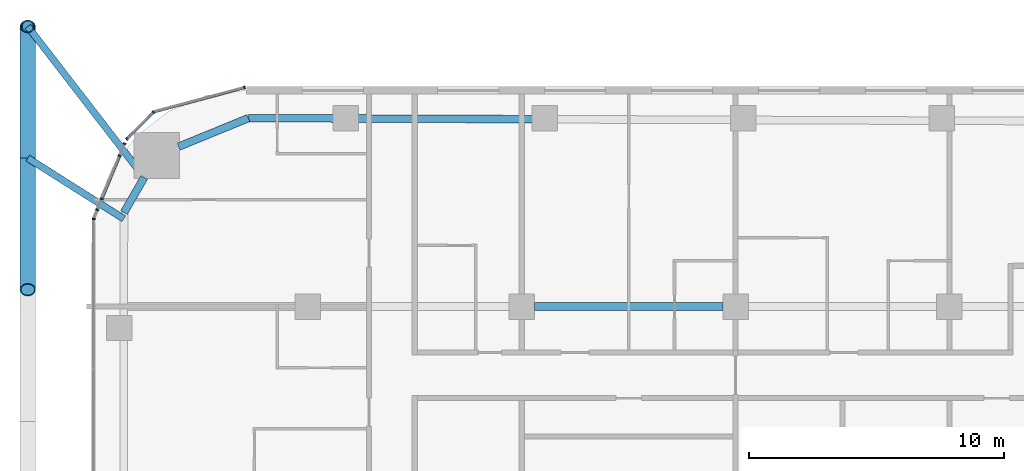
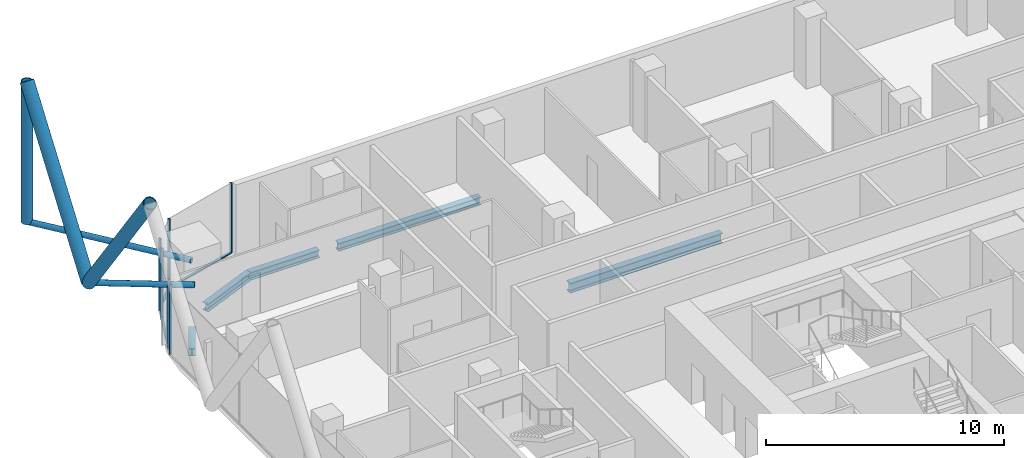
# One storey, part 10 of 38: 16 members, 5 beams, 7 elements without a shape of their own.
"""IFC4 building model written with IfcOpenShell, lengths in metres."""

from ifc_helpers import new_model, si_unit, direction, frame, origin, origin_2d, place, context, subcontext, project, spatial, rectangle, hollow_circle, i_section, extrude, material, layer, layer_set, material_profile, profile_set, type_object, element, aggregate, save


model = new_model("IFC4")

# Units and contexts
model_context = context("Model", 3, precision=1e-05, world=origin(), true_north=direction((0.0, 1.0)))
body_context = subcontext(model_context, "Body", "Model", "MODEL_VIEW")
ifc_project = project(units=[si_unit("LENGTHUNIT", "METRE"), si_unit("AREAUNIT", "SQUARE_METRE"), si_unit("VOLUMEUNIT", "CUBIC_METRE"), si_unit("PLANEANGLEUNIT", "RADIAN"), si_unit("MASSUNIT", "GRAM", prefix="KILO")], contexts=[model_context])

# Site, building, storey
site_placement = place(None, origin())
site = spatial("IfcSite", under=ifc_project, at=site_placement, CompositionType="ELEMENT")
building_placement = place(site_placement, origin())
building = spatial("IfcBuilding", under=site, at=building_placement, Name="Marenta Gate Hotel Tower", CompositionType="ELEMENT")
storey_placement = place(building_placement, frame((0.0, 0.0, 68.89990234375)))
storey = spatial("IfcBuildingStorey", under=building, at=storey_placement, Name="L15", CompositionType="ELEMENT", Elevation=68.89990234375)

# Members
ifc_material_1 = material(Name="Steel S355J2W", Category="steel")
ifc_material_profile_1 = material_profile(ifc_material_1, hollow_circle(Radius=0.25390625, WallThickness=0.0400390625, at=origin_2d()), Name="CHS 508x40")
ifc_profile_set_1 = profile_set([ifc_material_profile_1], Name="Steel S355J2W")
member_type_1 = type_object("IfcMemberType", Name="Diagrid corner post Z1 CHS 508x40", PredefinedType="POST", material=ifc_profile_set_1)
member_1_placement = place(storey_placement, frame((-32.0, 36.199951171875, 3.14013671875), z_axis=(0.0, 0.0, 1.0), x_axis=(1.0, 0.0, 0.0)))
element("IfcMember", 1, at=member_1_placement, inside=storey, type_object=member_type_1, Name="L15-DR-6", PredefinedType="POST", context=body_context, shape_type="SweptSolid", body=[
    extrude(hollow_circle(Radius=0.25390625, WallThickness=0.0400390625, at=origin_2d()), origin(), (0.0, 0.0, 1.0), 7.199951171875),
])
ifc_material_2 = material(Name="Steel S355J2W", Category="steel")
ifc_material_profile_2 = material_profile(ifc_material_2, hollow_circle(Radius=0.304931640625, WallThickness=0.0400390625, at=origin_2d()), Name="CHS 610x40")
ifc_profile_set_2 = profile_set([ifc_material_profile_2], Name="Steel S355J2W")
member_type_2 = type_object("IfcMemberType", Name="Diagrid diagonal Z1 CHS 610x40", PredefinedType="BRACE", material=ifc_profile_set_2)
for number, where, z_axis, x_axis, name in (
    (2, (-32.0, 31.030029296875, 3.14013671875), (0.0, -0.583260841117, 0.812284919975), (1.0, 0.0, 0.0), "L15-DG-33"),
    (3, (-32.0, 31.030029296875, 3.14013671875), (0.0, 0.583260841117, 0.812284919975), (-1.0, 0.0, 0.0), "L15-DG-34"),
):
    element("IfcMember", number, at=place(storey_placement, frame(where, z_axis=z_axis, x_axis=x_axis)), inside=storey, type_object=member_type_2, Name=name, PredefinedType="BRACE", context=body_context, shape_type="SweptSolid", body=[
        extrude(hollow_circle(Radius=0.304931640625, WallThickness=0.0400390625, at=origin_2d()), origin(), (0.0, 0.0, 1.0), 8.86376953125),
    ])

# Beams
ifc_material_3 = material(Name="Steel S355", Category="steel")
ifc_material_profile_3 = material_profile(ifc_material_3, i_section(OverallWidth=0.300048828125, OverallDepth=0.39990234375, WebThickness=0.013427734375, FlangeThickness=0.02392578125, FilletRadius=0.027099609375, at=origin_2d()), Name="HEB 400")
ifc_profile_set_3 = profile_set([ifc_material_profile_3], Name="Steel S355")
beam_type_1 = type_object("IfcBeamType", Name="Edge beam HEB 400", PredefinedType="SPANDREL", material=ifc_profile_set_3)
beam_1_placement = place(storey_placement, frame((-28.221435546875, 28.891845703125, -0.4599609375), z_axis=(0.500098681536, 0.865968422476, 0.0), x_axis=(-0.865968422476, 0.500098681536, 0.0)))
element("IfcBeam", 4, at=beam_1_placement, inside=storey, type_object=beam_type_1, Name="L15-EB-11", PredefinedType="SPANDREL", context=body_context, shape_type="SweptSolid", body=[
    extrude(i_section(OverallWidth=0.300048828125, OverallDepth=0.39990234375, WebThickness=0.013427734375, FlangeThickness=0.02392578125, FilletRadius=0.027099609375, at=origin_2d()), origin(), (0.0, 0.0, 1.0), 1.591552734375),
])
beam_2_placement = place(storey_placement, frame((-26.072509765625, 31.47998046875, -0.4599609375), z_axis=(0.925545641603, 0.378636059177, 0.0), x_axis=(-0.378636059177, 0.925545641603, 0.0)))
element("IfcBeam", 5, at=beam_2_placement, inside=storey, type_object=beam_type_1, Name="L15-EB-12", PredefinedType="SPANDREL", context=body_context, shape_type="SweptSolid", body=[
    extrude(i_section(OverallWidth=0.300048828125, OverallDepth=0.39990234375, WebThickness=0.013427734375, FlangeThickness=0.02392578125, FilletRadius=0.027099609375, at=origin_2d()), origin(), (0.0, 0.0, 1.0), 2.958251953125),
])
beam_3_placement = place(storey_placement, frame((-23.33447265625, 32.60009765625, -0.4599609375), z_axis=(0.999992894549, -0.00376972818, 0.0), x_axis=(0.00376972818, 0.999992894549, 0.0)))
element("IfcBeam", 6, at=beam_3_placement, inside=storey, type_object=beam_type_1, Name="L15-EB-13", PredefinedType="SPANDREL", context=body_context, shape_type="SweptSolid", body=[
    extrude(i_section(OverallWidth=0.300048828125, OverallDepth=0.39990234375, WebThickness=0.013427734375, FlangeThickness=0.02392578125, FilletRadius=0.027099609375, at=origin_2d()), origin(), (0.0, 0.0, 1.0), 3.36767578125),
])
beam_4_placement = place(storey_placement, frame((-19.046875, 32.583984375, -0.4599609375), z_axis=(0.999993064268, -0.003724435008, 0.0), x_axis=(0.003724435008, 0.999993064268, 0.0)))
element("IfcBeam", 7, at=beam_4_placement, inside=storey, type_object=beam_type_1, Name="L15-EB-14", PredefinedType="SPANDREL", context=body_context, shape_type="SweptSolid", body=[
    extrude(i_section(OverallWidth=0.300048828125, OverallDepth=0.39990234375, WebThickness=0.013427734375, FlangeThickness=0.02392578125, FilletRadius=0.027099609375, at=origin_2d()), origin(), (0.0, 0.0, 1.0), 6.8828125),
])

# Members
ifc_material_4 = material(Name="Steel S355J2W", Category="steel")
ifc_material_profile_4 = material_profile(ifc_material_4, hollow_circle(Radius=0.136474609375, WallThickness=0.012451171875, at=origin_2d()), Name="CHS 273x12.5")
ifc_profile_set_4 = profile_set([ifc_material_profile_4], Name="Steel S355J2W")
member_type_3 = type_object("IfcMemberType", Name="Floor tie CHS 273x12.5", PredefinedType="STRUT", material=ifc_profile_set_4)
member_2_placement = place(storey_placement, frame((-32.0, 31.030029296875, 3.14013671875), z_axis=(0.845282103526, -0.534320283592, 0.0), x_axis=(0.534320283592, 0.845282103526, 0.0)))
element("IfcMember", 8, at=member_2_placement, inside=storey, type_object=member_type_3, Name="L15-DR-21", PredefinedType="STRUT", context=body_context, shape_type="SweptSolid", body=[
    extrude(hollow_circle(Radius=0.136474609375, WallThickness=0.012451171875, at=origin_2d()), origin(), (0.0, 0.0, 1.0), 4.4619140625),
])
member_3_placement = place(storey_placement, frame((-32.0, 36.199951171875, 3.14013671875), z_axis=(0.610809299032, -0.791777746729, 0.0), x_axis=(0.791777746729, 0.610809299032, 0.0)))
element("IfcMember", 9, at=member_3_placement, inside=storey, type_object=member_type_3, Name="L15-DR-22", PredefinedType="STRUT", context=body_context, shape_type="SweptSolid", body=[
    extrude(hollow_circle(Radius=0.136474609375, WallThickness=0.012451171875, at=origin_2d()), origin(), (0.0, 0.0, 1.0), 7.48193359375),
])

# Beam
ifc_material_5 = material(Name="Steel S355", Category="steel")
ifc_material_profile_5 = material_profile(ifc_material_5, i_section(OverallWidth=0.300048828125, OverallDepth=0.5, WebThickness=0.014404296875, FlangeThickness=0.028076171875, FilletRadius=0.027099609375, at=origin_2d()), Name="HEB 500")
ifc_profile_set_5 = profile_set([ifc_material_profile_5], Name="Steel S355")
beam_type_2 = type_object("IfcBeamType", Name="Girder HEB 500", PredefinedType="BEAM", material=ifc_profile_set_5)
beam_5_placement = place(storey_placement, frame((-12.10009765625, 25.199951171875, -0.510009765625), z_axis=(1.0, 0.0, 0.0), x_axis=(0.0, 1.0, 0.0)))
element("IfcBeam", 10, at=beam_5_placement, inside=storey, type_object=beam_type_2, Name="L15-GD-24", PredefinedType="BEAM", context=body_context, shape_type="SweptSolid", body=[
    extrude(i_section(OverallWidth=0.300048828125, OverallDepth=0.5, WebThickness=0.014404296875, FlangeThickness=0.028076171875, FilletRadius=0.027099609375, at=origin_2d()), origin(), (0.0, 0.0, 1.0), 7.400146484375),
])

# Curtain wall, member
ifc_material_6 = material(Name="Tinted insulated glass in bronze anodised frame", Category="glass")
ifc_layer = layer(ifc_material_6, 0.1201171875)
ifc_layer_set = layer_set([ifc_layer], Name="Tinted insulated glass in bronze anodised frame")
curtain_wall_type = type_object("IfcCurtainWallType", Name="Tower unitised curtain wall CW1", PredefinedType="NOTDEFINED", material=ifc_layer_set)
curtain_wall_1_placement = place(storey_placement, origin())
curtain_wall_1 = element("IfcCurtainWall", 11, at=curtain_wall_1_placement, inside=storey, type_object=curtain_wall_type, Name="CW1 run G00", PredefinedType="NOTDEFINED")
ifc_material_7 = material(Name="Bronze anodised aluminium", Category="aluminium")
ifc_material_profile_6 = material_profile(ifc_material_7, rectangle(XDim=0.1201171875, YDim=0.06005859375, at=origin_2d()), Name="Mullion CW1 60x120 bronze anodised aluminium")
ifc_profile_set_6 = profile_set([ifc_material_profile_6], Name="Bronze anodised aluminium")
member_type_4 = type_object("IfcMemberType", Name="Mullion CW1 60x120 bronze anodised aluminium", PredefinedType="MULLION", material=ifc_profile_set_6)
member_4_placement = place(storey_placement, frame((-23.485595703125, 33.80322265625, 0.0), z_axis=(0.0, 0.0, 1.0), x_axis=(0.258801657317, -0.965930485164, 0.0)))
member_4 = element("IfcMember", 12, at=member_4_placement, type_object=member_type_4, Name="CW1 mullion 1", PredefinedType="MULLION", context=body_context, shape_type="SweptSolid", body=[
    extrude(rectangle(XDim=0.1201171875, YDim=0.06005859375, at=origin_2d()), origin(), (0.0, 0.0, 1.0), 3.60009765625),
])

# Curtain wall, members
curtain_wall_2_placement = place(storey_placement, origin())
curtain_wall_2 = element("IfcCurtainWall", 13, at=curtain_wall_2_placement, inside=storey, type_object=curtain_wall_type, Name="CW1 run G01", PredefinedType="NOTDEFINED")
member_5_placement = place(storey_placement, frame((-27.06103515625, 32.82958984375, 0.0), z_axis=(0.0, 0.0, 1.0), x_axis=(0.707106781187, -0.707106781187, 0.0)))
member_5 = element("IfcMember", 14, at=member_5_placement, type_object=member_type_4, Name="CW1 mullion 1", PredefinedType="MULLION", context=body_context, shape_type="SweptSolid", body=[
    extrude(rectangle(XDim=0.1201171875, YDim=0.06005859375, at=origin_2d()), origin(), (0.0, 0.0, 1.0), 3.60009765625),
])
member_6_placement = place(storey_placement, frame((-28.109619140625, 31.781005859375, 0.0), z_axis=(0.0, 0.0, 1.0), x_axis=(0.707106781187, -0.707106781187, 0.0)))
member_6 = element("IfcMember", 15, at=member_6_placement, type_object=member_type_4, Name="CW1 mullion 2", PredefinedType="MULLION", context=body_context, shape_type="SweptSolid", body=[
    extrude(rectangle(XDim=0.1201171875, YDim=0.06005859375, at=origin_2d()), origin(), (0.0, 0.0, 1.0), 3.60009765625),
])

# Curtain wall, member
curtain_wall_3_placement = place(storey_placement, origin())
curtain_wall_3 = element("IfcCurtainWall", 16, at=curtain_wall_3_placement, inside=storey, type_object=curtain_wall_type, Name="CW1 run G02", PredefinedType="NOTDEFINED")
member_7_placement = place(storey_placement, frame((-28.197509765625, 31.59912109375, 0.0), z_axis=(0.0, 0.0, 1.0), x_axis=(0.923879170538, -0.382684306245, 0.0)))
member_7 = element("IfcMember", 17, at=member_7_placement, type_object=member_type_4, Name="CW1 mullion 1", PredefinedType="MULLION", context=body_context, shape_type="SweptSolid", body=[
    extrude(rectangle(XDim=0.1201171875, YDim=0.06005859375, at=origin_2d()), origin(), (0.0, 0.0, 1.0), 3.00048828125),
])
aggregate(curtain_wall_3, [member_7])

curtain_wall_4_placement = place(storey_placement, origin())
curtain_wall_4 = element("IfcCurtainWall", 18, at=curtain_wall_4_placement, inside=storey, type_object=curtain_wall_type, Name="CW1 run G03", PredefinedType="NOTDEFINED")
member_8_placement = place(storey_placement, frame((-28.3974609375, 31.116455078125, 0.0), z_axis=(0.0, 0.0, 1.0), x_axis=(0.923879455147, -0.382683619138, 0.0)))
member_8 = element("IfcMember", 19, at=member_8_placement, type_object=member_type_4, Name="CW1 mullion 1", PredefinedType="MULLION", context=body_context, shape_type="SweptSolid", body=[
    extrude(rectangle(XDim=0.1201171875, YDim=0.06005859375, at=origin_2d()), origin(), (0.0, 0.0, 1.0), 3.60009765625),
])

curtain_wall_5_placement = place(storey_placement, origin())
curtain_wall_5 = element("IfcCurtainWall", 20, at=curtain_wall_5_placement, inside=storey, type_object=curtain_wall_type, Name="CW1 run G04", PredefinedType="NOTDEFINED")
member_9_placement = place(storey_placement, frame((-29.0966796875, 29.427978515625, 0.0), z_axis=(0.0, 0.0, 1.0), x_axis=(0.923815303293, -0.382838458625, 0.0)))
member_9 = element("IfcMember", 21, at=member_9_placement, type_object=member_type_4, Name="CW1 mullion 1", PredefinedType="MULLION", context=body_context, shape_type="SweptSolid", body=[
    extrude(rectangle(XDim=0.1201171875, YDim=0.06005859375, at=origin_2d()), origin(), (0.0, 0.0, 1.0), 3.00048828125),
])
aggregate(curtain_wall_5, [member_9])

curtain_wall_6_placement = place(storey_placement, origin())
curtain_wall_6 = element("IfcCurtainWall", 22, at=curtain_wall_6_placement, inside=storey, type_object=curtain_wall_type, Name="CW1 run G05", PredefinedType="NOTDEFINED")
member_10_placement = place(storey_placement, frame((-29.272705078125, 29.003173828125, 0.0), z_axis=(0.0, 0.0, 1.0), x_axis=(0.923973627119, -0.382456188848, 0.0)))
member_10 = element("IfcMember", 23, at=member_10_placement, type_object=member_type_4, Name="CW1 mullion 1", PredefinedType="MULLION", context=body_context, shape_type="SweptSolid", body=[
    extrude(rectangle(XDim=0.1201171875, YDim=0.06005859375, at=origin_2d()), origin(), (0.0, 0.0, 1.0), 3.60009765625),
])
aggregate(curtain_wall_6, [member_10])

curtain_wall_7_placement = place(storey_placement, origin())
curtain_wall_7 = element("IfcCurtainWall", 24, at=curtain_wall_7_placement, inside=storey, type_object=curtain_wall_type, Name="CW1 run G06", PredefinedType="NOTDEFINED")
member_11_placement = place(storey_placement, frame((-29.412353515625, 28.63623046875, 0.0), z_axis=(0.0, 0.0, 1.0), x_axis=(0.999998767315, -0.001570149369, 0.0)))
member_11 = element("IfcMember", 25, at=member_11_placement, type_object=member_type_4, Name="CW1 mullion 1", PredefinedType="MULLION", context=body_context, shape_type="SweptSolid", body=[
    extrude(rectangle(XDim=0.1201171875, YDim=0.06005859375, at=origin_2d()), origin(), (0.0, 0.0, 1.0), 3.60009765625),
])
aggregate(curtain_wall_7, [member_11])

# Member
ifc_material_8 = material(Name="Bronze anodised aluminium", Category="aluminium")
ifc_material_profile_7 = material_profile(ifc_material_8, rectangle(XDim=0.1201171875, YDim=0.06005859375, at=origin_2d()), Name="Transom CW1 60x120 bronze anodised aluminium")
ifc_profile_set_7 = profile_set([ifc_material_profile_7], Name="Bronze anodised aluminium")
member_type_5 = type_object("IfcMemberType", Name="Transom CW1 60x120 bronze anodised aluminium", PredefinedType="USERDEFINED", material=ifc_profile_set_7)
member_12_placement = place(storey_placement, frame((-23.514404296875, 33.79541015625, 0.030029296875), z_axis=(-0.965928942389, -0.258807415381, 0.0), x_axis=(0.258807415381, -0.965928942389, 0.0)))
member_12 = element("IfcMember", 26, at=member_12_placement, type_object=member_type_5, Name="CW1 transom 1.1", ObjectType="TRANSOM", PredefinedType="USERDEFINED", context=body_context, shape_type="SweptSolid", body=[
    extrude(rectangle(XDim=0.1201171875, YDim=0.06005859375, at=origin_2d()), origin(), (0.0, 0.0, 1.0), 3.649658203125),
])

aggregate(curtain_wall_1, [member_4, member_12])

member_13_placement = place(storey_placement, frame((-27.082275390625, 32.80859375, 0.030029296875), z_axis=(-0.707020993286, -0.707192558681, 0.0), x_axis=(0.707192558681, -0.707020993286, 0.0)))
member_13 = element("IfcMember", 27, at=member_13_placement, type_object=member_type_5, Name="CW1 transom 1.1", ObjectType="TRANSOM", PredefinedType="USERDEFINED", context=body_context, shape_type="SweptSolid", body=[
    extrude(rectangle(XDim=0.1201171875, YDim=0.06005859375, at=origin_2d()), origin(), (0.0, 0.0, 1.0), 1.423095703125),
])

aggregate(curtain_wall_2, [member_5, member_6, member_13])

member_14_placement = place(storey_placement, frame((-28.408935546875, 31.0888671875, 0.030029296875), z_axis=(-0.38260390766, -0.923912468713, 0.0), x_axis=(0.923912468713, -0.38260390766, 0.0)))
member_14 = element("IfcMember", 28, at=member_14_placement, type_object=member_type_5, Name="CW1 transom 1.1", ObjectType="TRANSOM", PredefinedType="USERDEFINED", context=body_context, shape_type="SweptSolid", body=[
    extrude(rectangle(XDim=0.1201171875, YDim=0.06005859375, at=origin_2d()), origin(), (0.0, 0.0, 1.0), 1.767578125),
])

aggregate(curtain_wall_4, [member_8, member_14])

save(model, "model.ifc")
